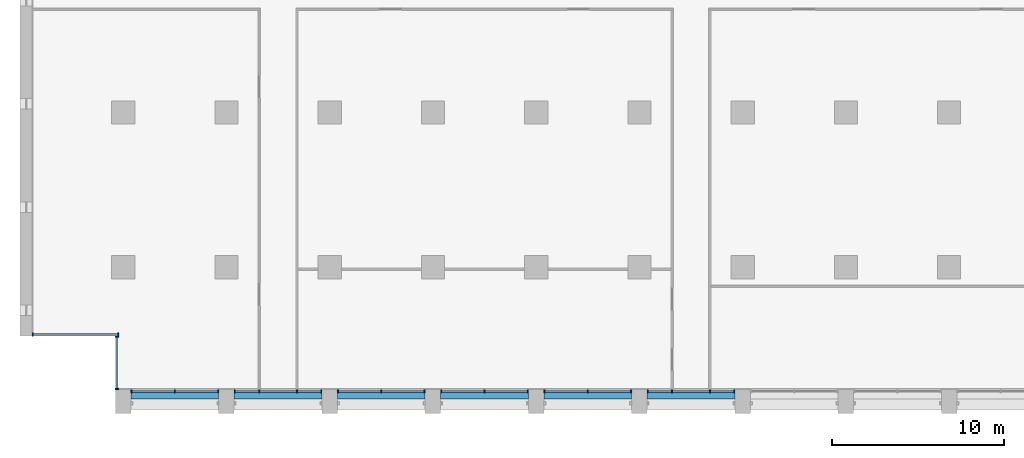
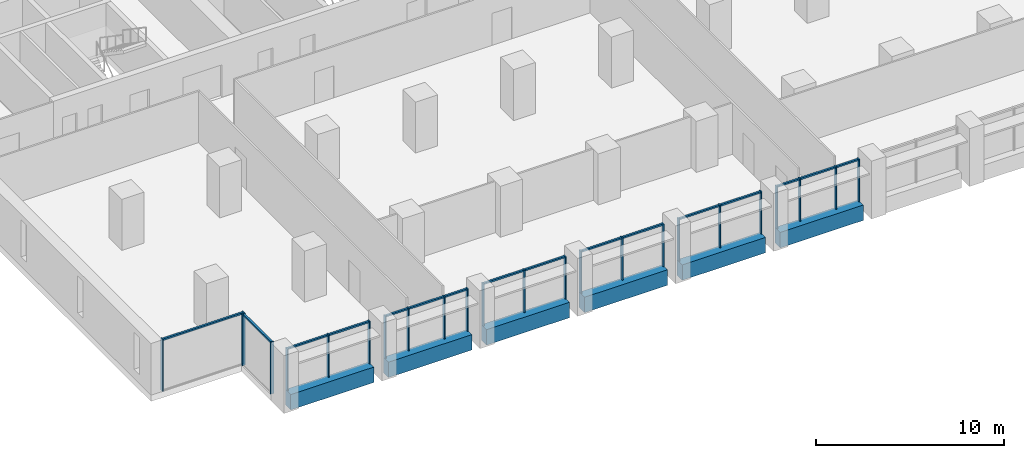
# One storey, part 2 of 15: 40 members, 6 beams, 8 elements without a shape of their own.
"""IFC4 building model written with IfcOpenShell, lengths in metres."""

from ifc_helpers import new_model, si_unit, direction, frame, origin, origin_2d, place, context, subcontext, project, spatial, rectangle, extrude, material, material_profile, profile_set, type_object, element, aggregate, save


model = new_model("IFC4")

# Units and contexts
model_context = context("Model", 3, precision=1e-05, world=origin(), true_north=direction((0.0, 1.0)))
body_context = subcontext(model_context, "Body", "Model", "MODEL_VIEW")
ifc_project = project(units=[si_unit("LENGTHUNIT", "METRE"), si_unit("AREAUNIT", "SQUARE_METRE"), si_unit("VOLUMEUNIT", "CUBIC_METRE"), si_unit("PLANEANGLEUNIT", "RADIAN"), si_unit("MASSUNIT", "GRAM", prefix="KILO")], contexts=[model_context])

# Site, building, storey
site_placement = place(None, origin())
site = spatial("IfcSite", under=ifc_project, at=site_placement, CompositionType="ELEMENT")
building_placement = place(site_placement, origin())
building = spatial("IfcBuilding", under=site, at=building_placement, Name="Calvaro Tower", CompositionType="ELEMENT")
storey_placement = place(building_placement, frame((0.0, 0.0, 113.75)))
storey = spatial("IfcBuildingStorey", under=building, at=storey_placement, Name="L28", CompositionType="ELEMENT", Elevation=113.75)

# Curtain wall, members
ifc_material_1 = material(Name="Anodised aluminium", Category="aluminium")
curtain_wall_type = type_object("IfcCurtainWallType", Name="Office curtain wall, middle zone", PredefinedType="NOTDEFINED", material=ifc_material_1)
curtain_wall_1_placement = place(storey_placement, origin())
curtain_wall_1 = element("IfcCurtainWall", 1, at=curtain_wall_1_placement, inside=storey, type_object=curtain_wall_type, Name="CW2 south curtain wall", PredefinedType="NOTDEFINED")
ifc_material_2 = material(Name="Anodised aluminium", Category="aluminium")
ifc_material_profile_1 = material_profile(ifc_material_2, rectangle(XDim=0.199951171875, YDim=0.070068359375, at=origin_2d()), Name="Mullion S2 70 x 200")
ifc_profile_set_1 = profile_set([ifc_material_profile_1], Name="Anodised aluminium")
member_type_1 = type_object("IfcMemberType", Name="Mullion S2 70 x 200", PredefinedType="MULLION", material=ifc_profile_set_1)
member_1_placement = place(storey_placement, frame((6.485107421875, 2.800048828125, 0.0), z_axis=(0.0, 0.0, 1.0), x_axis=(0.0, 1.0, 0.0)))
member_1 = element("IfcMember", 2, at=member_1_placement, type_object=member_type_1, Name="CW2 mullion 1", PredefinedType="MULLION", context=body_context, shape_type="SweptSolid", body=[
    extrude(rectangle(XDim=0.199951171875, YDim=0.070068359375, at=origin_2d()), origin(), (0.0, 0.0, 1.0), 2.75),
])
member_2_placement = place(storey_placement, frame((9.0, 2.800048828125, 0.0), z_axis=(0.0, 0.0, 1.0), x_axis=(0.0, 1.0, 0.0)))
member_2 = element("IfcMember", 3, at=member_2_placement, type_object=member_type_1, Name="CW2 mullion 2", PredefinedType="MULLION", context=body_context, shape_type="SweptSolid", body=[
    extrude(rectangle(XDim=0.199951171875, YDim=0.070068359375, at=origin_2d()), origin(), (0.0, 0.0, 1.0), 2.75),
])
member_3_placement = place(storey_placement, frame((11.514892578125, 2.800048828125, 0.0), z_axis=(0.0, 0.0, 1.0), x_axis=(0.0, 1.0, 0.0)))
member_3 = element("IfcMember", 4, at=member_3_placement, type_object=member_type_1, Name="CW2 mullion 3", PredefinedType="MULLION", context=body_context, shape_type="SweptSolid", body=[
    extrude(rectangle(XDim=0.199951171875, YDim=0.070068359375, at=origin_2d()), origin(), (0.0, 0.0, 1.0), 2.75),
])

curtain_wall_2_placement = place(storey_placement, origin())
curtain_wall_2 = element("IfcCurtainWall", 5, at=curtain_wall_2_placement, inside=storey, type_object=curtain_wall_type, Name="CW2 south curtain wall", PredefinedType="NOTDEFINED")
member_4_placement = place(storey_placement, frame((12.485107421875, 2.800048828125, 0.0), z_axis=(0.0, 0.0, 1.0), x_axis=(0.0, 1.0, 0.0)))
member_4 = element("IfcMember", 6, at=member_4_placement, type_object=member_type_1, Name="CW2 mullion 1", PredefinedType="MULLION", context=body_context, shape_type="SweptSolid", body=[
    extrude(rectangle(XDim=0.199951171875, YDim=0.070068359375, at=origin_2d()), origin(), (0.0, 0.0, 1.0), 2.75),
])
member_5_placement = place(storey_placement, frame((13.89990234375, 2.800048828125, 0.0), z_axis=(0.0, 0.0, 1.0), x_axis=(0.0, 1.0, 0.0)))
member_5 = element("IfcMember", 7, at=member_5_placement, type_object=member_type_1, Name="CW2 mullion 2", PredefinedType="MULLION", context=body_context, shape_type="SweptSolid", body=[
    extrude(rectangle(XDim=0.199951171875, YDim=0.070068359375, at=origin_2d()), origin(), (0.0, 0.0, 1.0), 2.75),
])
member_6_placement = place(storey_placement, frame((16.10009765625, 2.800048828125, 0.0), z_axis=(0.0, 0.0, 1.0), x_axis=(0.0, 1.0, 0.0)))
member_6 = element("IfcMember", 8, at=member_6_placement, type_object=member_type_1, Name="CW2 mullion 3", PredefinedType="MULLION", context=body_context, shape_type="SweptSolid", body=[
    extrude(rectangle(XDim=0.199951171875, YDim=0.070068359375, at=origin_2d()), origin(), (0.0, 0.0, 1.0), 2.75),
])
member_7_placement = place(storey_placement, frame((17.514892578125, 2.800048828125, 0.0), z_axis=(0.0, 0.0, 1.0), x_axis=(0.0, 1.0, 0.0)))
member_7 = element("IfcMember", 9, at=member_7_placement, type_object=member_type_1, Name="CW2 mullion 4", PredefinedType="MULLION", context=body_context, shape_type="SweptSolid", body=[
    extrude(rectangle(XDim=0.199951171875, YDim=0.070068359375, at=origin_2d()), origin(), (0.0, 0.0, 1.0), 2.75),
])

curtain_wall_3_placement = place(storey_placement, origin())
curtain_wall_3 = element("IfcCurtainWall", 10, at=curtain_wall_3_placement, inside=storey, type_object=curtain_wall_type, Name="CW2 south curtain wall", PredefinedType="NOTDEFINED")
member_8_placement = place(storey_placement, frame((18.485107421875, 2.800048828125, 0.0), z_axis=(0.0, 0.0, 1.0), x_axis=(0.0, 1.0, 0.0)))
member_8 = element("IfcMember", 11, at=member_8_placement, type_object=member_type_1, Name="CW2 mullion 1", PredefinedType="MULLION", context=body_context, shape_type="SweptSolid", body=[
    extrude(rectangle(XDim=0.199951171875, YDim=0.070068359375, at=origin_2d()), origin(), (0.0, 0.0, 1.0), 2.75),
])
member_9_placement = place(storey_placement, frame((21.0, 2.800048828125, 0.0), z_axis=(0.0, 0.0, 1.0), x_axis=(0.0, 1.0, 0.0)))
member_9 = element("IfcMember", 12, at=member_9_placement, type_object=member_type_1, Name="CW2 mullion 2", PredefinedType="MULLION", context=body_context, shape_type="SweptSolid", body=[
    extrude(rectangle(XDim=0.199951171875, YDim=0.070068359375, at=origin_2d()), origin(), (0.0, 0.0, 1.0), 2.75),
])
member_10_placement = place(storey_placement, frame((23.514892578125, 2.800048828125, 0.0), z_axis=(0.0, 0.0, 1.0), x_axis=(0.0, 1.0, 0.0)))
member_10 = element("IfcMember", 13, at=member_10_placement, type_object=member_type_1, Name="CW2 mullion 3", PredefinedType="MULLION", context=body_context, shape_type="SweptSolid", body=[
    extrude(rectangle(XDim=0.199951171875, YDim=0.070068359375, at=origin_2d()), origin(), (0.0, 0.0, 1.0), 2.75),
])

curtain_wall_4_placement = place(storey_placement, origin())
curtain_wall_4 = element("IfcCurtainWall", 14, at=curtain_wall_4_placement, inside=storey, type_object=curtain_wall_type, Name="CW2 south curtain wall", PredefinedType="NOTDEFINED")
member_11_placement = place(storey_placement, frame((24.485107421875, 2.800048828125, 0.0), z_axis=(0.0, 0.0, 1.0), x_axis=(0.0, 1.0, 0.0)))
member_11 = element("IfcMember", 15, at=member_11_placement, type_object=member_type_1, Name="CW2 mullion 1", PredefinedType="MULLION", context=body_context, shape_type="SweptSolid", body=[
    extrude(rectangle(XDim=0.199951171875, YDim=0.070068359375, at=origin_2d()), origin(), (0.0, 0.0, 1.0), 2.75),
])
member_12_placement = place(storey_placement, frame((27.0, 2.800048828125, 0.0), z_axis=(0.0, 0.0, 1.0), x_axis=(0.0, 1.0, 0.0)))
member_12 = element("IfcMember", 16, at=member_12_placement, type_object=member_type_1, Name="CW2 mullion 2", PredefinedType="MULLION", context=body_context, shape_type="SweptSolid", body=[
    extrude(rectangle(XDim=0.199951171875, YDim=0.070068359375, at=origin_2d()), origin(), (0.0, 0.0, 1.0), 2.75),
])
member_13_placement = place(storey_placement, frame((29.514892578125, 2.800048828125, 0.0), z_axis=(0.0, 0.0, 1.0), x_axis=(0.0, 1.0, 0.0)))
member_13 = element("IfcMember", 17, at=member_13_placement, type_object=member_type_1, Name="CW2 mullion 3", PredefinedType="MULLION", context=body_context, shape_type="SweptSolid", body=[
    extrude(rectangle(XDim=0.199951171875, YDim=0.070068359375, at=origin_2d()), origin(), (0.0, 0.0, 1.0), 2.75),
])

curtain_wall_5_placement = place(storey_placement, origin())
curtain_wall_5 = element("IfcCurtainWall", 18, at=curtain_wall_5_placement, inside=storey, type_object=curtain_wall_type, Name="CW2 south curtain wall", PredefinedType="NOTDEFINED")
member_14_placement = place(storey_placement, frame((30.485107421875, 2.800048828125, 0.0), z_axis=(0.0, 0.0, 1.0), x_axis=(0.0, 1.0, 0.0)))
member_14 = element("IfcMember", 19, at=member_14_placement, type_object=member_type_1, Name="CW2 mullion 1", PredefinedType="MULLION", context=body_context, shape_type="SweptSolid", body=[
    extrude(rectangle(XDim=0.199951171875, YDim=0.070068359375, at=origin_2d()), origin(), (0.0, 0.0, 1.0), 2.75),
])
member_15_placement = place(storey_placement, frame((33.0, 2.800048828125, 0.0), z_axis=(0.0, 0.0, 1.0), x_axis=(0.0, 1.0, 0.0)))
member_15 = element("IfcMember", 20, at=member_15_placement, type_object=member_type_1, Name="CW2 mullion 2", PredefinedType="MULLION", context=body_context, shape_type="SweptSolid", body=[
    extrude(rectangle(XDim=0.199951171875, YDim=0.070068359375, at=origin_2d()), origin(), (0.0, 0.0, 1.0), 2.75),
])
member_16_placement = place(storey_placement, frame((35.514892578125, 2.800048828125, 0.0), z_axis=(0.0, 0.0, 1.0), x_axis=(0.0, 1.0, 0.0)))
member_16 = element("IfcMember", 21, at=member_16_placement, type_object=member_type_1, Name="CW2 mullion 3", PredefinedType="MULLION", context=body_context, shape_type="SweptSolid", body=[
    extrude(rectangle(XDim=0.199951171875, YDim=0.070068359375, at=origin_2d()), origin(), (0.0, 0.0, 1.0), 2.75),
])

curtain_wall_6_placement = place(storey_placement, origin())
curtain_wall_6 = element("IfcCurtainWall", 22, at=curtain_wall_6_placement, inside=storey, type_object=curtain_wall_type, Name="CW2 south curtain wall", PredefinedType="NOTDEFINED")
member_17_placement = place(storey_placement, frame((36.485107421875, 2.800048828125, 0.0), z_axis=(0.0, 0.0, 1.0), x_axis=(0.0, 1.0, 0.0)))
member_17 = element("IfcMember", 23, at=member_17_placement, type_object=member_type_1, Name="CW2 mullion 1", PredefinedType="MULLION", context=body_context, shape_type="SweptSolid", body=[
    extrude(rectangle(XDim=0.199951171875, YDim=0.070068359375, at=origin_2d()), origin(), (0.0, 0.0, 1.0), 2.75),
])
member_18_placement = place(storey_placement, frame((37.89990234375, 2.800048828125, 0.0), z_axis=(0.0, 0.0, 1.0), x_axis=(0.0, 1.0, 0.0)))
member_18 = element("IfcMember", 24, at=member_18_placement, type_object=member_type_1, Name="CW2 mullion 2", PredefinedType="MULLION", context=body_context, shape_type="SweptSolid", body=[
    extrude(rectangle(XDim=0.199951171875, YDim=0.070068359375, at=origin_2d()), origin(), (0.0, 0.0, 1.0), 2.75),
])
member_19_placement = place(storey_placement, frame((40.10009765625, 2.800048828125, 0.0), z_axis=(0.0, 0.0, 1.0), x_axis=(0.0, 1.0, 0.0)))
member_19 = element("IfcMember", 25, at=member_19_placement, type_object=member_type_1, Name="CW2 mullion 3", PredefinedType="MULLION", context=body_context, shape_type="SweptSolid", body=[
    extrude(rectangle(XDim=0.199951171875, YDim=0.070068359375, at=origin_2d()), origin(), (0.0, 0.0, 1.0), 2.75),
])
member_20_placement = place(storey_placement, frame((41.514892578125, 2.800048828125, 0.0), z_axis=(0.0, 0.0, 1.0), x_axis=(0.0, 1.0, 0.0)))
member_20 = element("IfcMember", 26, at=member_20_placement, type_object=member_type_1, Name="CW2 mullion 4", PredefinedType="MULLION", context=body_context, shape_type="SweptSolid", body=[
    extrude(rectangle(XDim=0.199951171875, YDim=0.070068359375, at=origin_2d()), origin(), (0.0, 0.0, 1.0), 2.75),
])

curtain_wall_7_placement = place(storey_placement, origin())
curtain_wall_7 = element("IfcCurtainWall", 27, at=curtain_wall_7_placement, inside=storey, type_object=curtain_wall_type, Name="CW2 corner curtain wall", PredefinedType="NOTDEFINED")
member_21_placement = place(storey_placement, frame((5.64990234375, 2.93505859375, 0.0), z_axis=(0.0, 0.0, 1.0), x_axis=(-1.0, 0.0, 0.0)))
member_21 = element("IfcMember", 28, at=member_21_placement, type_object=member_type_1, Name="CW2 mullion 1", PredefinedType="MULLION", context=body_context, shape_type="SweptSolid", body=[
    extrude(rectangle(XDim=0.199951171875, YDim=0.070068359375, at=origin_2d()), origin(), (0.0, 0.0, 1.0), 3.35009765625),
])
member_22_placement = place(storey_placement, frame((5.64990234375, 5.965087890625, 0.0), z_axis=(0.0, 0.0, 1.0), x_axis=(-1.0, 0.0, 0.0)))
member_22 = element("IfcMember", 29, at=member_22_placement, type_object=member_type_1, Name="CW2 mullion 2", PredefinedType="MULLION", context=body_context, shape_type="SweptSolid", body=[
    extrude(rectangle(XDim=0.199951171875, YDim=0.070068359375, at=origin_2d()), origin(), (0.0, 0.0, 1.0), 3.35009765625),
])

curtain_wall_8_placement = place(storey_placement, origin())
curtain_wall_8 = element("IfcCurtainWall", 30, at=curtain_wall_8_placement, inside=storey, type_object=curtain_wall_type, Name="CW2 corner curtain wall", PredefinedType="NOTDEFINED")
member_23_placement = place(storey_placement, frame((0.735107421875, 6.10009765625, 0.0), z_axis=(0.0, 0.0, 1.0), x_axis=(0.0, 1.0, 0.0)))
member_23 = element("IfcMember", 31, at=member_23_placement, type_object=member_type_1, Name="CW2 mullion 1", PredefinedType="MULLION", context=body_context, shape_type="SweptSolid", body=[
    extrude(rectangle(XDim=0.199951171875, YDim=0.070068359375, at=origin_2d()), origin(), (0.0, 0.0, 1.0), 3.35009765625),
])
member_24_placement = place(storey_placement, frame((5.715087890625, 6.10009765625, 0.0), z_axis=(0.0, 0.0, 1.0), x_axis=(0.0, 1.0, 0.0)))
member_24 = element("IfcMember", 32, at=member_24_placement, type_object=member_type_1, Name="CW2 mullion 2", PredefinedType="MULLION", context=body_context, shape_type="SweptSolid", body=[
    extrude(rectangle(XDim=0.199951171875, YDim=0.070068359375, at=origin_2d()), origin(), (0.0, 0.0, 1.0), 3.35009765625),
])

# Beams
ifc_material_3 = material(Name="Concrete C50/60 precast", Category="concrete")
ifc_material_profile_2 = material_profile(ifc_material_3, rectangle(XDim=0.550048828125, YDim=1.0, at=origin_2d()), Name="RC 550x1000")
ifc_profile_set_2 = profile_set([ifc_material_profile_2], Name="Concrete C50/60 precast")
beam_type = type_object("IfcBeamType", Name="Spandrel beam 550x1000 C50/60", PredefinedType="SPANDREL", material=ifc_profile_set_2)
for number, where, z_axis, x_axis, name in (
    (33, (6.449951171875, 2.625, -0.5), (1.0, 0.0, 0.0), (0.0, 1.0, 0.0), "Spandrel beam"),
    (34, (12.449951171875, 2.625, -0.5), (1.0, 0.0, 0.0), (0.0, 1.0, 0.0), "Spandrel beam"),
    (35, (18.449951171875, 2.625, -0.5), (1.0, 0.0, 0.0), (0.0, 1.0, 0.0), "Spandrel beam"),
    (36, (24.449951171875, 2.625, -0.5), (1.0, 0.0, 0.0), (0.0, 1.0, 0.0), "Spandrel beam"),
    (37, (30.449951171875, 2.625, -0.5), (1.0, 0.0, 0.0), (0.0, 1.0, 0.0), "Spandrel beam"),
    (38, (36.449951171875, 2.625, -0.5), (1.0, 0.0, 0.0), (0.0, 1.0, 0.0), "Spandrel beam"),
):
    element("IfcBeam", number, at=place(storey_placement, frame(where, z_axis=z_axis, x_axis=x_axis)), inside=storey, type_object=beam_type, Name=name, PredefinedType="SPANDREL", context=body_context, shape_type="SweptSolid", body=[
        extrude(rectangle(XDim=0.550048828125, YDim=1.0, at=origin_2d()), origin(), (0.0, 0.0, 1.0), 5.10009765625),
    ])

# Member
ifc_material_4 = material(Name="Anodised aluminium", Category="aluminium")
ifc_material_profile_3 = material_profile(ifc_material_4, rectangle(XDim=0.1201171875, YDim=0.10009765625, at=origin_2d()), Name="Transom S2 100 x 120")
ifc_profile_set_3 = profile_set([ifc_material_profile_3], Name="Anodised aluminium")
member_type_2 = type_object("IfcMemberType", Name="Transom S2 100 x 120", PredefinedType="USERDEFINED", material=ifc_profile_set_3)
member_25_placement = place(storey_placement, frame((6.52001953125, 2.800048828125, 2.699951171875), z_axis=(1.0, 0.0, 0.0), x_axis=(0.0, 1.0, 0.0)))
member_25 = element("IfcMember", 39, at=member_25_placement, type_object=member_type_2, Name="CW2 transom 1.1", ObjectType="TRANSOM", PredefinedType="USERDEFINED", context=body_context, shape_type="SweptSolid", body=[
    extrude(rectangle(XDim=0.1201171875, YDim=0.10009765625, at=origin_2d()), origin(), (0.0, 0.0, 1.0), 2.445068359375),
])

member_26_placement = place(storey_placement, frame((9.034912109375, 2.800048828125, 2.699951171875), z_axis=(1.0, 0.0, 0.0), x_axis=(0.0, 1.0, 0.0)))
member_26 = element("IfcMember", 40, at=member_26_placement, type_object=member_type_2, Name="CW2 transom 2.1", ObjectType="TRANSOM", PredefinedType="USERDEFINED", context=body_context, shape_type="SweptSolid", body=[
    extrude(rectangle(XDim=0.1201171875, YDim=0.10009765625, at=origin_2d()), origin(), (0.0, 0.0, 1.0), 2.445068359375),
])

aggregate(curtain_wall_1, [member_1, member_2, member_3, member_25, member_26])

member_27_placement = place(storey_placement, frame((12.52001953125, 2.800048828125, 2.699951171875), z_axis=(1.0, 0.0, 0.0), x_axis=(0.0, 1.0, 0.0)))
member_27 = element("IfcMember", 41, at=member_27_placement, type_object=member_type_2, Name="CW2 transom 1.1", ObjectType="TRANSOM", PredefinedType="USERDEFINED", context=body_context, shape_type="SweptSolid", body=[
    extrude(rectangle(XDim=0.1201171875, YDim=0.10009765625, at=origin_2d()), origin(), (0.0, 0.0, 1.0), 1.344970703125),
])

member_28_placement = place(storey_placement, frame((13.93505859375, 2.800048828125, 2.699951171875), z_axis=(1.0, 0.0, 0.0), x_axis=(0.0, 1.0, 0.0)))
member_28 = element("IfcMember", 42, at=member_28_placement, type_object=member_type_2, Name="CW2 transom 2.1", ObjectType="TRANSOM", PredefinedType="USERDEFINED", context=body_context, shape_type="SweptSolid", body=[
    extrude(rectangle(XDim=0.1201171875, YDim=0.10009765625, at=origin_2d()), origin(), (0.0, 0.0, 1.0), 2.1298828125),
])

member_29_placement = place(storey_placement, frame((16.135009765625, 2.800048828125, 2.699951171875), z_axis=(1.0, 0.0, 0.0), x_axis=(0.0, 1.0, 0.0)))
member_29 = element("IfcMember", 43, at=member_29_placement, type_object=member_type_2, Name="CW2 transom 3.1", ObjectType="TRANSOM", PredefinedType="USERDEFINED", context=body_context, shape_type="SweptSolid", body=[
    extrude(rectangle(XDim=0.1201171875, YDim=0.10009765625, at=origin_2d()), origin(), (0.0, 0.0, 1.0), 1.344970703125),
])

aggregate(curtain_wall_2, [member_4, member_5, member_6, member_7, member_27, member_28, member_29])

member_30_placement = place(storey_placement, frame((18.52001953125, 2.800048828125, 2.699951171875), z_axis=(1.0, 0.0, 0.0), x_axis=(0.0, 1.0, 0.0)))
member_30 = element("IfcMember", 44, at=member_30_placement, type_object=member_type_2, Name="CW2 transom 1.1", ObjectType="TRANSOM", PredefinedType="USERDEFINED", context=body_context, shape_type="SweptSolid", body=[
    extrude(rectangle(XDim=0.1201171875, YDim=0.10009765625, at=origin_2d()), origin(), (0.0, 0.0, 1.0), 2.445068359375),
])

member_31_placement = place(storey_placement, frame((21.034912109375, 2.800048828125, 2.699951171875), z_axis=(1.0, 0.0, 0.0), x_axis=(0.0, 1.0, 0.0)))
member_31 = element("IfcMember", 45, at=member_31_placement, type_object=member_type_2, Name="CW2 transom 2.1", ObjectType="TRANSOM", PredefinedType="USERDEFINED", context=body_context, shape_type="SweptSolid", body=[
    extrude(rectangle(XDim=0.1201171875, YDim=0.10009765625, at=origin_2d()), origin(), (0.0, 0.0, 1.0), 2.445068359375),
])

aggregate(curtain_wall_3, [member_8, member_9, member_10, member_30, member_31])

member_32_placement = place(storey_placement, frame((24.52001953125, 2.800048828125, 2.699951171875), z_axis=(1.0, 0.0, 0.0), x_axis=(0.0, 1.0, 0.0)))
member_32 = element("IfcMember", 46, at=member_32_placement, type_object=member_type_2, Name="CW2 transom 1.1", ObjectType="TRANSOM", PredefinedType="USERDEFINED", context=body_context, shape_type="SweptSolid", body=[
    extrude(rectangle(XDim=0.1201171875, YDim=0.10009765625, at=origin_2d()), origin(), (0.0, 0.0, 1.0), 2.445068359375),
])

member_33_placement = place(storey_placement, frame((27.034912109375, 2.800048828125, 2.699951171875), z_axis=(1.0, 0.0, 0.0), x_axis=(0.0, 1.0, 0.0)))
member_33 = element("IfcMember", 47, at=member_33_placement, type_object=member_type_2, Name="CW2 transom 2.1", ObjectType="TRANSOM", PredefinedType="USERDEFINED", context=body_context, shape_type="SweptSolid", body=[
    extrude(rectangle(XDim=0.1201171875, YDim=0.10009765625, at=origin_2d()), origin(), (0.0, 0.0, 1.0), 2.445068359375),
])

aggregate(curtain_wall_4, [member_11, member_12, member_13, member_32, member_33])

member_34_placement = place(storey_placement, frame((30.52001953125, 2.800048828125, 2.699951171875), z_axis=(1.0, 0.0, 0.0), x_axis=(0.0, 1.0, 0.0)))
member_34 = element("IfcMember", 48, at=member_34_placement, type_object=member_type_2, Name="CW2 transom 1.1", ObjectType="TRANSOM", PredefinedType="USERDEFINED", context=body_context, shape_type="SweptSolid", body=[
    extrude(rectangle(XDim=0.1201171875, YDim=0.10009765625, at=origin_2d()), origin(), (0.0, 0.0, 1.0), 2.445068359375),
])

member_35_placement = place(storey_placement, frame((33.034912109375, 2.800048828125, 2.699951171875), z_axis=(1.0, 0.0, 0.0), x_axis=(0.0, 1.0, 0.0)))
member_35 = element("IfcMember", 49, at=member_35_placement, type_object=member_type_2, Name="CW2 transom 2.1", ObjectType="TRANSOM", PredefinedType="USERDEFINED", context=body_context, shape_type="SweptSolid", body=[
    extrude(rectangle(XDim=0.1201171875, YDim=0.10009765625, at=origin_2d()), origin(), (0.0, 0.0, 1.0), 2.445068359375),
])

aggregate(curtain_wall_5, [member_14, member_15, member_16, member_34, member_35])

member_36_placement = place(storey_placement, frame((36.52001953125, 2.800048828125, 2.699951171875), z_axis=(1.0, 0.0, 0.0), x_axis=(0.0, 1.0, 0.0)))
member_36 = element("IfcMember", 50, at=member_36_placement, type_object=member_type_2, Name="CW2 transom 1.1", ObjectType="TRANSOM", PredefinedType="USERDEFINED", context=body_context, shape_type="SweptSolid", body=[
    extrude(rectangle(XDim=0.1201171875, YDim=0.10009765625, at=origin_2d()), origin(), (0.0, 0.0, 1.0), 1.344970703125),
])

member_37_placement = place(storey_placement, frame((37.93505859375, 2.800048828125, 2.699951171875), z_axis=(1.0, 0.0, 0.0), x_axis=(0.0, 1.0, 0.0)))
member_37 = element("IfcMember", 51, at=member_37_placement, type_object=member_type_2, Name="CW2 transom 2.1", ObjectType="TRANSOM", PredefinedType="USERDEFINED", context=body_context, shape_type="SweptSolid", body=[
    extrude(rectangle(XDim=0.1201171875, YDim=0.10009765625, at=origin_2d()), origin(), (0.0, 0.0, 1.0), 2.1298828125),
])

member_38_placement = place(storey_placement, frame((40.135009765625, 2.800048828125, 2.699951171875), z_axis=(1.0, 0.0, 0.0), x_axis=(0.0, 1.0, 0.0)))
member_38 = element("IfcMember", 52, at=member_38_placement, type_object=member_type_2, Name="CW2 transom 3.1", ObjectType="TRANSOM", PredefinedType="USERDEFINED", context=body_context, shape_type="SweptSolid", body=[
    extrude(rectangle(XDim=0.1201171875, YDim=0.10009765625, at=origin_2d()), origin(), (0.0, 0.0, 1.0), 1.344970703125),
])

aggregate(curtain_wall_6, [member_17, member_18, member_19, member_20, member_36, member_37, member_38])

member_39_placement = place(storey_placement, frame((5.64990234375, 2.969970703125, 3.300048828125), z_axis=(0.0, 1.0, 0.0), x_axis=(-1.0, 0.0, 0.0)))
member_39 = element("IfcMember", 53, at=member_39_placement, type_object=member_type_2, Name="CW2 transom 1.1", ObjectType="TRANSOM", PredefinedType="USERDEFINED", context=body_context, shape_type="SweptSolid", body=[
    extrude(rectangle(XDim=0.1201171875, YDim=0.10009765625, at=origin_2d()), origin(), (0.0, 0.0, 1.0), 2.9599609375),
])

aggregate(curtain_wall_7, [member_21, member_22, member_39])

member_40_placement = place(storey_placement, frame((0.77001953125, 6.10009765625, 3.300048828125), z_axis=(1.0, 0.0, 0.0), x_axis=(0.0, 1.0, 0.0)))
member_40 = element("IfcMember", 54, at=member_40_placement, type_object=member_type_2, Name="CW2 transom 1.1", ObjectType="TRANSOM", PredefinedType="USERDEFINED", context=body_context, shape_type="SweptSolid", body=[
    extrude(rectangle(XDim=0.1201171875, YDim=0.10009765625, at=origin_2d()), origin(), (0.0, 0.0, 1.0), 4.909912109375),
])

aggregate(curtain_wall_8, [member_23, member_24, member_40])

save(model, "model.ifc")
